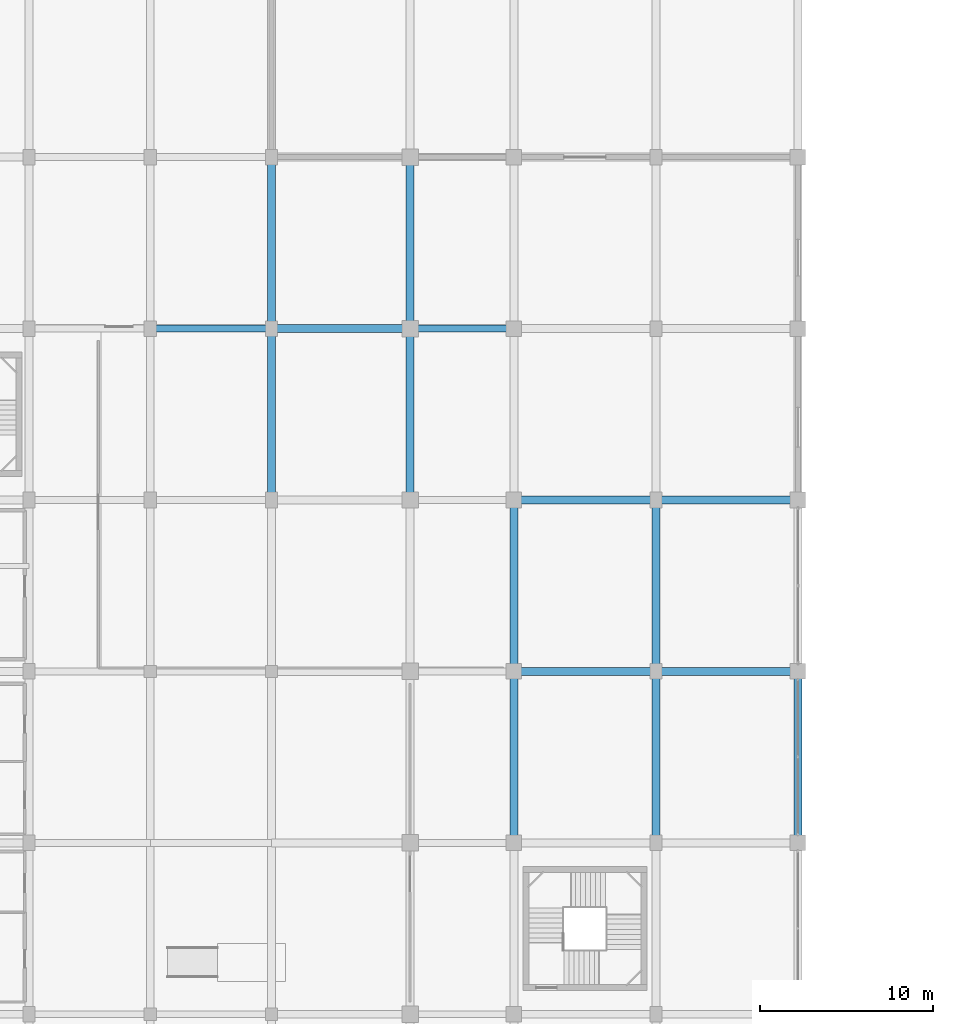
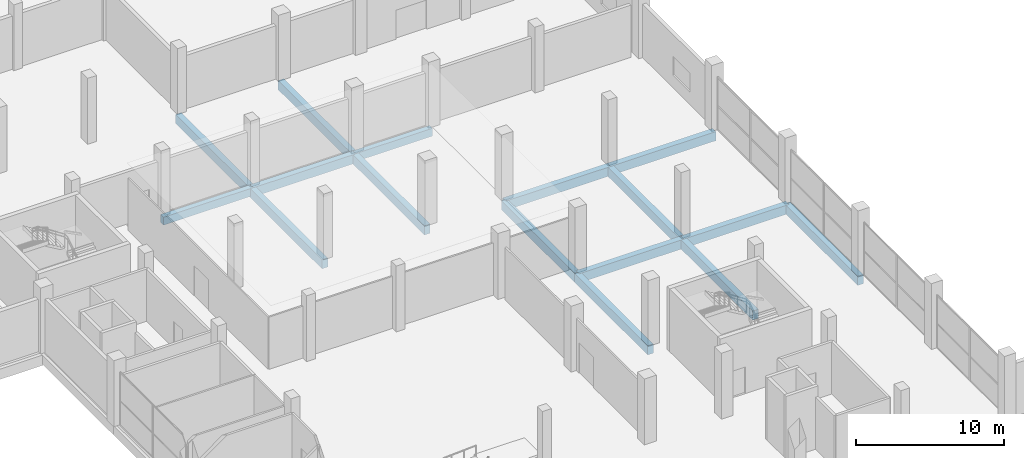
# One storey, part 14 of 50: 16 beams.
"""IFC4 building model written with IfcOpenShell, lengths in metres."""

from ifc_helpers import new_model, si_unit, direction, frame, origin, origin_2d, place, context, subcontext, project, spatial, rectangle, extrude, material, material_profile, profile_set, type_object, element, save


model = new_model("IFC4")

# Units and contexts
model_context = context("Model", 3, precision=1e-05, world=origin(), true_north=direction((0.0, 1.0)))
body_context = subcontext(model_context, "Body", "Model", "MODEL_VIEW")
ifc_project = project(units=[si_unit("LENGTHUNIT", "METRE"), si_unit("AREAUNIT", "SQUARE_METRE"), si_unit("VOLUMEUNIT", "CUBIC_METRE"), si_unit("PLANEANGLEUNIT", "RADIAN"), si_unit("MASSUNIT", "GRAM", prefix="KILO")], contexts=[model_context])

# Site, building, storey
site_placement = place(None, origin())
site = spatial("IfcSite", under=ifc_project, at=site_placement, CompositionType="ELEMENT")
building_placement = place(site_placement, origin())
building = spatial("IfcBuilding", under=site, at=building_placement, Name="Sillaruma Civic Art Gallery", CompositionType="ELEMENT")
storey_placement = place(building_placement, origin())
storey = spatial("IfcBuildingStorey", under=building, at=storey_placement, Name="L00", CompositionType="ELEMENT", Elevation=0.0)

# Beams
ifc_material_1 = material(Name="Concrete H35 (35 MPa)", Category="concrete")
ifc_material_profile_1 = material_profile(ifc_material_1, rectangle(XDim=0.39990234375, YDim=0.64990234375, at=origin_2d()), Name="RCB400x650")
ifc_profile_set_1 = profile_set([ifc_material_profile_1], Name="Concrete H35 (35 MPa)")
beam_type_1 = type_object("IfcBeamType", Name="BM-BEAM-RCB400x650", PredefinedType="BEAM", material=ifc_profile_set_1)
beam_1_placement = place(storey_placement, frame((77.0, 89.10009765625, -0.625), z_axis=(1.0, 0.0, 0.0), x_axis=(0.0, 1.0, 0.0)))
element("IfcBeam", 1, at=beam_1_placement, inside=storey, type_object=beam_type_1, Name="Beam BM-05 (B01:10:H-J)", PredefinedType="BEAM", context=body_context, shape_type="SweptSolid", body=[
    extrude(rectangle(XDim=0.39990234375, YDim=0.64990234375, at=origin_2d()), origin(), (0.0, 0.0, 1.0), 7.0),
])
beam_2_placement = place(storey_placement, frame((92.0, 89.10009765625, -0.625), z_axis=(1.0, 0.0, 0.0), x_axis=(0.0, 1.0, 0.0)))
element("IfcBeam", 2, at=beam_2_placement, inside=storey, type_object=beam_type_1, Name="Beam BM-05 (B01:10:K-L)", PredefinedType="BEAM", context=body_context, shape_type="SweptSolid", body=[
    extrude(rectangle(XDim=0.39990234375, YDim=0.64990234375, at=origin_2d()), origin(), (0.0, 0.0, 1.0), 6.0),
])
ifc_material_2 = material(Name="Concrete H40 (40 MPa)", Category="concrete")
ifc_material_profile_2 = material_profile(ifc_material_2, rectangle(XDim=0.449951171875, YDim=0.75, at=origin_2d()), Name="RCB450x750")
ifc_profile_set_2 = profile_set([ifc_material_profile_2], Name="Concrete H40 (40 MPa)")
beam_type_2 = type_object("IfcBeamType", Name="BM-BEAM-RCB450x750", PredefinedType="BEAM", material=ifc_profile_set_2)
for number, where, z_axis, x_axis, name in (
    (3, (98.0, 69.300048828125, -0.675048828125), (1.0, 0.0, 0.0), (0.0, 1.0, 0.0), "Beam BM-03 (B01:8:L-M)"),
    (4, (106.199951171875, 69.300048828125, -0.675048828125), (1.0, 0.0, 0.0), (0.0, 1.0, 0.0), "Beam BM-03 (B01:8:M-N)"),
    (5, (98.0, 79.199951171875, -0.675048828125), (1.0, 0.0, 0.0), (0.0, 1.0, 0.0), "Beam BM-03 (B01:9:L-M)"),
    (6, (106.199951171875, 79.199951171875, -0.675048828125), (1.0, 0.0, 0.0), (0.0, 1.0, 0.0), "Beam BM-03 (B01:9:M-N)"),
):
    element("IfcBeam", number, at=place(storey_placement, frame(where, z_axis=z_axis, x_axis=x_axis)), inside=storey, type_object=beam_type_2, Name=name, PredefinedType="BEAM", context=body_context, shape_type="SweptSolid", body=[
        extrude(rectangle(XDim=0.449951171875, YDim=0.75, at=origin_2d()), origin(), (0.0, 0.0, 1.0), 8.199951171875),
    ])
beam_3_placement = place(storey_placement, frame((84.0, 89.10009765625, -0.675048828125), z_axis=(1.0, 0.0, 0.0), x_axis=(0.0, 1.0, 0.0)))
element("IfcBeam", 7, at=beam_3_placement, inside=storey, type_object=beam_type_2, Name="Beam BM-03 (B01:10:J-K)", PredefinedType="BEAM", context=body_context, shape_type="SweptSolid", body=[
    extrude(rectangle(XDim=0.449951171875, YDim=0.75, at=origin_2d()), origin(), (0.0, 0.0, 1.0), 8.0),
])
beam_4_placement = place(storey_placement, frame((84.0, 79.199951171875, -0.675048828125), z_axis=(0.0, 1.0, 0.0), x_axis=(-1.0, 0.0, 0.0)))
element("IfcBeam", 8, at=beam_4_placement, inside=storey, type_object=beam_type_2, Name="Beam BM-03 (B01:J:9-10)", PredefinedType="BEAM", context=body_context, shape_type="SweptSolid", body=[
    extrude(rectangle(XDim=0.449951171875, YDim=0.75, at=origin_2d()), origin(), (0.0, 0.0, 1.0), 9.900146484375),
])
beam_5_placement = place(storey_placement, frame((84.0, 89.10009765625, -0.675048828125), z_axis=(0.0, 1.0, 0.0), x_axis=(-1.0, 0.0, 0.0)))
element("IfcBeam", 9, at=beam_5_placement, inside=storey, type_object=beam_type_2, Name="Beam BM-03 (B01:J:10-11)", PredefinedType="BEAM", context=body_context, shape_type="SweptSolid", body=[
    extrude(rectangle(XDim=0.449951171875, YDim=0.75, at=origin_2d()), origin(), (0.0, 0.0, 1.0), 9.89990234375),
])
beam_6_placement = place(storey_placement, frame((92.0, 79.199951171875, -0.675048828125), z_axis=(0.0, 1.0, 0.0), x_axis=(-1.0, 0.0, 0.0)))
element("IfcBeam", 10, at=beam_6_placement, inside=storey, type_object=beam_type_2, Name="Beam BM-03 (B01:K:9-10)", PredefinedType="BEAM", context=body_context, shape_type="SweptSolid", body=[
    extrude(rectangle(XDim=0.449951171875, YDim=0.75, at=origin_2d()), origin(), (0.0, 0.0, 1.0), 9.900146484375),
])
beam_7_placement = place(storey_placement, frame((92.0, 89.10009765625, -0.675048828125), z_axis=(0.0, 1.0, 0.0), x_axis=(-1.0, 0.0, 0.0)))
element("IfcBeam", 11, at=beam_7_placement, inside=storey, type_object=beam_type_2, Name="Beam BM-03 (B01:K:10-11)", PredefinedType="BEAM", context=body_context, shape_type="SweptSolid", body=[
    extrude(rectangle(XDim=0.449951171875, YDim=0.75, at=origin_2d()), origin(), (0.0, 0.0, 1.0), 9.89990234375),
])
beam_8_placement = place(storey_placement, frame((98.0, 59.39990234375, -0.675048828125), z_axis=(0.0, 1.0, 0.0), x_axis=(-1.0, 0.0, 0.0)))
element("IfcBeam", 12, at=beam_8_placement, inside=storey, type_object=beam_type_2, Name="Beam BM-03 (B01:L:7-8)", PredefinedType="BEAM", context=body_context, shape_type="SweptSolid", body=[
    extrude(rectangle(XDim=0.449951171875, YDim=0.75, at=origin_2d()), origin(), (0.0, 0.0, 1.0), 9.900146484375),
])
beam_9_placement = place(storey_placement, frame((98.0, 69.300048828125, -0.675048828125), z_axis=(0.0, 1.0, 0.0), x_axis=(-1.0, 0.0, 0.0)))
element("IfcBeam", 13, at=beam_9_placement, inside=storey, type_object=beam_type_2, Name="Beam BM-03 (B01:L:8-9)", PredefinedType="BEAM", context=body_context, shape_type="SweptSolid", body=[
    extrude(rectangle(XDim=0.449951171875, YDim=0.75, at=origin_2d()), origin(), (0.0, 0.0, 1.0), 9.89990234375),
])
beam_10_placement = place(storey_placement, frame((106.199951171875, 59.39990234375, -0.675048828125), z_axis=(0.0, 1.0, 0.0), x_axis=(-1.0, 0.0, 0.0)))
element("IfcBeam", 14, at=beam_10_placement, inside=storey, type_object=beam_type_2, Name="Beam BM-03 (B01:M:7-8)", PredefinedType="BEAM", context=body_context, shape_type="SweptSolid", body=[
    extrude(rectangle(XDim=0.449951171875, YDim=0.75, at=origin_2d()), origin(), (0.0, 0.0, 1.0), 9.900146484375),
])
beam_11_placement = place(storey_placement, frame((106.199951171875, 69.300048828125, -0.675048828125), z_axis=(0.0, 1.0, 0.0), x_axis=(-1.0, 0.0, 0.0)))
element("IfcBeam", 15, at=beam_11_placement, inside=storey, type_object=beam_type_2, Name="Beam BM-03 (B01:M:8-9)", PredefinedType="BEAM", context=body_context, shape_type="SweptSolid", body=[
    extrude(rectangle(XDim=0.449951171875, YDim=0.75, at=origin_2d()), origin(), (0.0, 0.0, 1.0), 9.89990234375),
])
beam_12_placement = place(storey_placement, frame((114.39990234375, 59.39990234375, -0.675048828125), z_axis=(0.0, 1.0, 0.0), x_axis=(-1.0, 0.0, 0.0)))
element("IfcBeam", 16, at=beam_12_placement, inside=storey, type_object=beam_type_2, Name="Beam BM-03 (B01:N:7-8)", PredefinedType="BEAM", context=body_context, shape_type="SweptSolid", body=[
    extrude(rectangle(XDim=0.449951171875, YDim=0.75, at=origin_2d()), origin(), (0.0, 0.0, 1.0), 9.900146484375),
])

save(model, "model.ifc")
